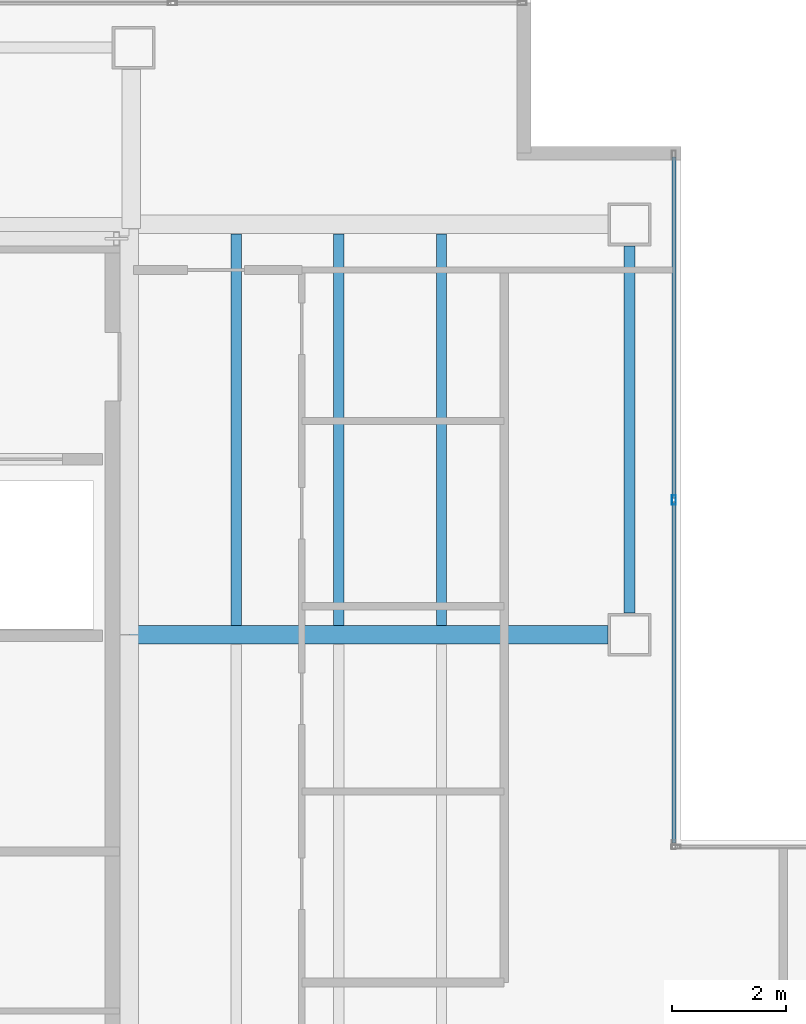
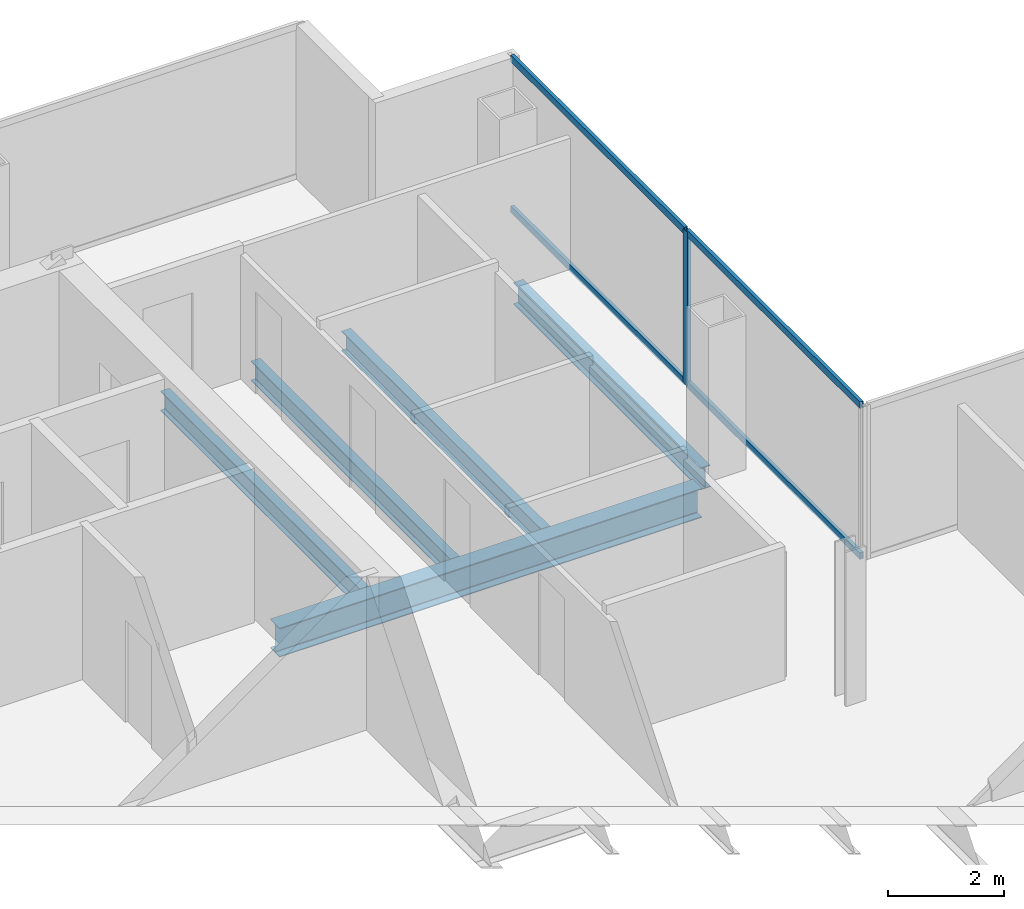
# One storey, part 9 of 23: 5 beams, 5 members, 1 element without a shape of its own.
"""IFC4 building model written with IfcOpenShell, lengths in metres."""

from ifc_helpers import new_model, si_unit, direction, frame, origin, origin_2d, place, context, subcontext, project, spatial, hollow_rectangle, i_section, extrude, material, material_profile, profile_set, type_object, element, aggregate, save


model = new_model("IFC4")

# Units and contexts
model_context = context("Model", 3, precision=1e-05, world=origin(), true_north=direction((0.0, 1.0)))
body_context = subcontext(model_context, "Body", "Model", "MODEL_VIEW")
ifc_project = project(units=[si_unit("LENGTHUNIT", "METRE"), si_unit("AREAUNIT", "SQUARE_METRE"), si_unit("VOLUMEUNIT", "CUBIC_METRE"), si_unit("PLANEANGLEUNIT", "RADIAN"), si_unit("MASSUNIT", "GRAM", prefix="KILO")], contexts=[model_context])

# Site, building, storey
site_placement = place(None, origin())
site = spatial("IfcSite", under=ifc_project, at=site_placement, CompositionType="ELEMENT")
building_placement = place(site_placement, origin())
building = spatial("IfcBuilding", under=site, at=building_placement, Name="Cobrela Telecom Tower", CompositionType="ELEMENT")
storey_placement = place(building_placement, frame((0.0, 0.0, 208.25)))
storey = spatial("IfcBuildingStorey", under=building, at=storey_placement, Name="L53", CompositionType="ELEMENT", Elevation=208.25)

# Beams
ifc_material_1 = material(Name="Steel ASTM A992 Grade 50", Category="steel")
ifc_material_profile_1 = material_profile(ifc_material_1, i_section(OverallWidth=0.324951171875, OverallDepth=0.612060546875, WebThickness=0.0126953125, FlangeThickness=0.01904296875, FilletRadius=0.014892578125, at=origin_2d()), Name="W24X104")
ifc_profile_set_1 = profile_set([ifc_material_profile_1], Name="Steel ASTM A992 Grade 50")
beam_type_1 = type_object("IfcBeamType", Name="BM-GIRD-07", PredefinedType="USERDEFINED", material=ifc_profile_set_1)
beam_1_placement = place(storey_placement, frame((14.324951171875, 28.800048828125, -0.56591796875), z_axis=(1.0, 0.0, 0.0), x_axis=(0.0, 1.0, 0.0)))
element("IfcBeam", 1, at=beam_1_placement, inside=storey, type_object=beam_type_1, Name="L53 Primary Girder X19", ObjectType="GIRDER", PredefinedType="USERDEFINED", context=body_context, shape_type="SweptSolid", body=[
    extrude(i_section(OverallWidth=0.324951171875, OverallDepth=0.612060546875, WebThickness=0.0126953125, FlangeThickness=0.01904296875, FilletRadius=0.014892578125, at=origin_2d()), origin(), (0.0, 0.0, 1.0), 8.39501953125),
])
ifc_material_profile_2 = material_profile(ifc_material_1, i_section(OverallWidth=0.179931640625, OverallDepth=0.4169921875, WebThickness=0.010986328125, FlangeThickness=0.01806640625, FilletRadius=0.011962890625, at=origin_2d()), Name="W16X57")
ifc_profile_set_2 = profile_set([ifc_material_profile_2], Name="Steel ASTM A992 Grade 50")
beam_type_2 = type_object("IfcBeamType", Name="BM-JOIST-04", PredefinedType="JOIST", material=ifc_profile_set_2)
for number, where, z_axis, x_axis, name in (
    (2, (16.199951171875, 28.967529296875, -0.468505859375), (0.0, 1.0, 0.0), (-1.0, 0.0, 0.0), "L53 Secondary Composite Floor Beam J04"),
    (3, (18.0, 28.967529296875, -0.468505859375), (0.0, 1.0, 0.0), (-1.0, 0.0, 0.0), "L53 Secondary Composite Floor Beam J08"),
    (4, (19.800048828125, 28.967529296875, -0.468505859375), (0.0, 1.0, 0.0), (-1.0, 0.0, 0.0), "L53 Secondary Composite Floor Beam J12"),
):
    element("IfcBeam", number, at=place(storey_placement, frame(where, z_axis=z_axis, x_axis=x_axis)), inside=storey, type_object=beam_type_2, Name=name, PredefinedType="JOIST", context=body_context, shape_type="SweptSolid", body=[
        extrude(i_section(OverallWidth=0.179931640625, OverallDepth=0.4169921875, WebThickness=0.010986328125, FlangeThickness=0.01806640625, FilletRadius=0.011962890625, at=origin_2d()), origin(), (0.0, 0.0, 1.0), 6.864990234375),
    ])
ifc_material_profile_3 = material_profile(ifc_material_1, i_section(OverallWidth=0.193115234375, OverallDepth=0.467041015625, WebThickness=0.011474609375, FlangeThickness=0.01904296875, FilletRadius=0.012939453125, at=origin_2d()), Name="W18X65")
ifc_profile_set_3 = profile_set([ifc_material_profile_3], Name="Steel ASTM A992 Grade 50")
beam_type_3 = type_object("IfcBeamType", Name="BM-SPAND-05", PredefinedType="SPANDREL", material=ifc_profile_set_3)
beam_2_placement = place(storey_placement, frame((23.10009765625, 29.179931640625, -0.493408203125), z_axis=(0.0, 1.0, 0.0), x_axis=(-1.0, 0.0, 0.0)))
element("IfcBeam", 5, at=beam_2_placement, inside=storey, type_object=beam_type_3, Name="L53 Perimeter Spandrel Y35", PredefinedType="SPANDREL", context=body_context, shape_type="SweptSolid", body=[
    extrude(i_section(OverallWidth=0.193115234375, OverallDepth=0.467041015625, WebThickness=0.011474609375, FlangeThickness=0.01904296875, FilletRadius=0.012939453125, at=origin_2d()), origin(), (0.0, 0.0, 1.0), 6.440185546875),
])

# Curtain wall, members
ifc_material_2 = material(Name="Anodized Bronze Aluminium 6063-T6", Category="aluminium")
curtain_wall_type = type_object("IfcCurtainWallType", Name="CW-SYS-OFF-LO", PredefinedType="USERDEFINED", material=ifc_material_2)
curtain_wall_placement = place(storey_placement, origin())
curtain_wall = element("IfcCurtainWall", 6, at=curtain_wall_placement, inside=storey, type_object=curtain_wall_type, Name="L53 Unitised Bronze Curtain Wall 10", ObjectType="UNITISED CURTAIN WALL", PredefinedType="USERDEFINED")
ifc_material_profile_4 = material_profile(ifc_material_2, hollow_rectangle(XDim=0.070068359375, YDim=0.159912109375, WallThickness=0.00390625, at=origin_2d()), Name="ALU 70x160x4")
ifc_profile_set_4 = profile_set([ifc_material_profile_4], Name="Anodized Bronze Aluminium 6063-T6")
member_type_1 = type_object("IfcMemberType", Name="CW-SYS-OFF-LO-MUL", PredefinedType="MULLION", material=ifc_profile_set_4)
member_1_placement = place(storey_placement, frame((23.8798828125, 31.1650390625, 0.0), z_axis=(0.0, 0.0, 1.0), x_axis=(1.0, 0.0, 0.0)))
member_1 = element("IfcMember", 7, at=member_1_placement, type_object=member_type_1, Name="CW-OFF-LO mullion 2", PredefinedType="MULLION", context=body_context, shape_type="SweptSolid", body=[
    extrude(hollow_rectangle(XDim=0.070068359375, YDim=0.159912109375, WallThickness=0.00390625, at=origin_2d()), origin(), (0.0, 0.0, 1.0), 3.239990234375),
])
ifc_material_profile_5 = material_profile(ifc_material_2, hollow_rectangle(XDim=0.070068359375, YDim=0.139892578125, WallThickness=0.00390625, at=origin_2d()), Name="ALU 70x140x4")
ifc_profile_set_5 = profile_set([ifc_material_profile_5], Name="Anodized Bronze Aluminium 6063-T6")
member_type_2 = type_object("IfcMemberType", Name="CW-SYS-OFF-LO-TRN", PredefinedType="USERDEFINED", material=ifc_profile_set_5)
member_2_placement = place(storey_placement, frame((23.8798828125, 37.179931640625, 0.034912109375), z_axis=(0.0, -1.0, 0.0), x_axis=(1.0, 0.0, 0.0)))
member_2 = element("IfcMember", 8, at=member_2_placement, type_object=member_type_2, Name="CW-OFF-LO transom 1.1", ObjectType="TRANSOM", PredefinedType="USERDEFINED", context=body_context, shape_type="SweptSolid", body=[
    extrude(hollow_rectangle(XDim=0.070068359375, YDim=0.139892578125, WallThickness=0.00390625, at=origin_2d()), origin(), (0.0, 0.0, 1.0), 5.97998046875),
])
member_3_placement = place(storey_placement, frame((23.8798828125, 37.179931640625, 3.205078125), z_axis=(0.0, -1.0, 0.0), x_axis=(1.0, 0.0, 0.0)))
member_3 = element("IfcMember", 9, at=member_3_placement, type_object=member_type_2, Name="CW-OFF-LO transom 1.2", ObjectType="TRANSOM", PredefinedType="USERDEFINED", context=body_context, shape_type="SweptSolid", body=[
    extrude(hollow_rectangle(XDim=0.070068359375, YDim=0.139892578125, WallThickness=0.00390625, at=origin_2d()), origin(), (0.0, 0.0, 1.0), 5.97998046875),
])
member_4_placement = place(storey_placement, frame((23.8798828125, 31.1298828125, 0.034912109375), z_axis=(0.0, -1.0, 0.0), x_axis=(1.0, 0.0, 0.0)))
member_4 = element("IfcMember", 10, at=member_4_placement, type_object=member_type_2, Name="CW-OFF-LO transom 2.1", ObjectType="TRANSOM", PredefinedType="USERDEFINED", context=body_context, shape_type="SweptSolid", body=[
    extrude(hollow_rectangle(XDim=0.070068359375, YDim=0.139892578125, WallThickness=0.00390625, at=origin_2d()), origin(), (0.0, 0.0, 1.0), 5.97998046875),
])
member_5_placement = place(storey_placement, frame((23.8798828125, 31.1298828125, 3.205078125), z_axis=(0.0, -1.0, 0.0), x_axis=(1.0, 0.0, 0.0)))
member_5 = element("IfcMember", 11, at=member_5_placement, type_object=member_type_2, Name="CW-OFF-LO transom 2.2", ObjectType="TRANSOM", PredefinedType="USERDEFINED", context=body_context, shape_type="SweptSolid", body=[
    extrude(hollow_rectangle(XDim=0.070068359375, YDim=0.139892578125, WallThickness=0.00390625, at=origin_2d()), origin(), (0.0, 0.0, 1.0), 5.97998046875),
])
aggregate(curtain_wall, [member_1, member_2, member_3, member_4, member_5])

save(model, "model.ifc")
